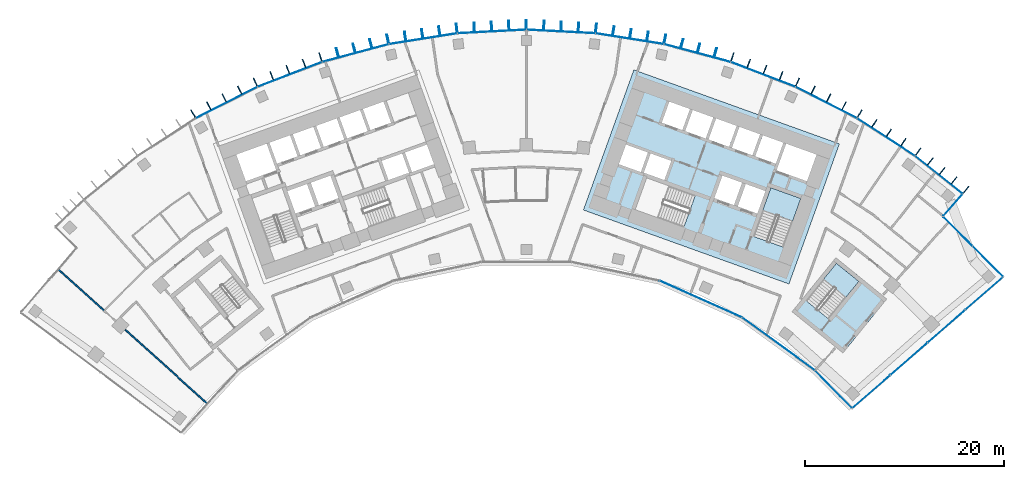
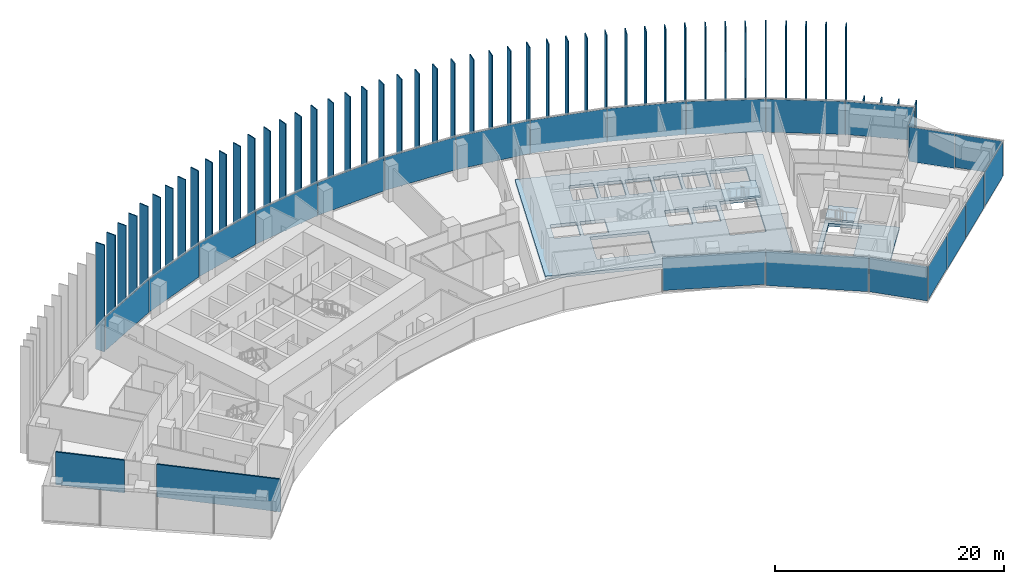
# One storey, part 14 of 23: 71 plates, 4 slabs, 2 walls, 7 elements without a shape of their own.
"""IFC4 building model written with IfcOpenShell, lengths in metres."""

from ifc_helpers import new_model, si_unit, direction, frame, frame_2d, origin, origin_2d, place, context, subcontext, project, spatial, polyline, rectangle, outline, extrude, material, layer, layer_set, type_object, element, aggregate, save


model = new_model("IFC4")

# Units and contexts
model_context = context("Model", 3, precision=1e-05, world=origin(), true_north=direction((0.0, 1.0)))
body_context = subcontext(model_context, "Body", "Model", "MODEL_VIEW")
ifc_project = project(units=[si_unit("LENGTHUNIT", "METRE"), si_unit("AREAUNIT", "SQUARE_METRE"), si_unit("VOLUMEUNIT", "CUBIC_METRE"), si_unit("PLANEANGLEUNIT", "RADIAN"), si_unit("MASSUNIT", "GRAM", prefix="KILO")], contexts=[model_context])

# Site, building, storey
site_placement = place(None, origin())
site = spatial("IfcSite", under=ifc_project, at=site_placement, CompositionType="ELEMENT")
building_placement = place(site_placement, origin())
building = spatial("IfcBuilding", under=site, at=building_placement, Name="Stone Belt Terrace Tower", CompositionType="ELEMENT")
storey_placement = place(building_placement, frame((0.0, 0.0, 178.199951171875)))
storey = spatial("IfcBuildingStorey", under=building, at=storey_placement, Name="L43", CompositionType="ELEMENT", Elevation=178.199951171875)

# Curtain wall, plates
ifc_material_1 = material(Name="Aluminium 6063-T6 anodised frame", Category="aluminium")
ifc_layer_1 = layer(ifc_material_1, 0.14990234375)
ifc_layer_set_1 = layer_set([ifc_layer_1], Name="CW-A unitised convex-face curtain wall")
curtain_wall_type_1 = type_object("IfcCurtainWallType", Name="CW-A unitised convex-face curtain wall", PredefinedType="NOTDEFINED", material=ifc_layer_set_1)
curtain_wall_1_placement = place(storey_placement, origin())
curtain_wall_1 = element("IfcCurtainWall", 1, at=curtain_wall_1_placement, inside=storey, type_object=curtain_wall_type_1, Name="CW-A convex face L43", PredefinedType="NOTDEFINED")
ifc_material_2 = material(Name="Clear double glazed unit")
ifc_layer_2 = layer(ifc_material_2, 0.031982421875)
ifc_layer_set_2 = layer_set([ifc_layer_2], Name="CW-A glass panel 32")
plate_type_1 = type_object("IfcPlateType", Name="CW-A glass panel 32", PredefinedType="CURTAIN_PANEL", material=ifc_layer_set_2)
plate_1_placement = place(storey_placement, frame((41.508544921875, 51.962890625, 0.14013671875), z_axis=(0.0, 0.0, 1.0), x_axis=(-0.7814794641, 0.62393096348, 0.0)))
plate_1 = element("IfcPlate", 2, at=plate_1_placement, type_object=plate_type_1, Name="CW-A panel 1.1", PredefinedType="CURTAIN_PANEL", context=body_context, shape_type="SweptSolid", body=[
    extrude(rectangle(XDim=6.015625, YDim=0.031982421875, at=origin_2d()), origin(), (0.0, 0.0, 1.0), 3.52001953125),
])
plate_2_placement = place(storey_placement, frame((36.209716796875, 55.758056640625, 0.14013671875), z_axis=(0.0, 0.0, 1.0), x_axis=(-0.838670567945, 0.544639035015, 0.0)))
plate_2 = element("IfcPlate", 3, at=plate_2_placement, type_object=plate_type_1, Name="CW-A panel 2.1", PredefinedType="CURTAIN_PANEL", context=body_context, shape_type="SweptSolid", body=[
    extrude(rectangle(XDim=6.90087890625, YDim=0.031982421875, at=origin_2d()), origin(), (0.0, 0.0, 1.0), 3.52001953125),
])
plate_3_placement = place(storey_placement, frame((30.18310546875, 59.237548828125, 0.14013671875), z_axis=(0.0, 0.0, 1.0), x_axis=(-0.891006524188, 0.45399049974, 0.0)))
plate_3 = element("IfcPlate", 4, at=plate_3_placement, type_object=plate_type_1, Name="CW-A panel 3.1", PredefinedType="CURTAIN_PANEL", context=body_context, shape_type="SweptSolid", body=[
    extrude(rectangle(XDim=6.90087890625, YDim=0.031982421875, at=origin_2d()), origin(), (0.0, 0.0, 1.0), 3.52001953125),
])
plate_4_placement = place(storey_placement, frame((23.82568359375, 62.068115234375, 0.14013671875), z_axis=(0.0, 0.0, 1.0), x_axis=(-0.933580426497, 0.358367949545, 0.0)))
plate_4 = element("IfcPlate", 5, at=plate_4_placement, type_object=plate_type_1, Name="CW-A panel 4.1", PredefinedType="CURTAIN_PANEL", context=body_context, shape_type="SweptSolid", body=[
    extrude(rectangle(XDim=6.90087890625, YDim=0.031982421875, at=origin_2d()), origin(), (0.0, 0.0, 1.0), 3.52001953125),
])
plate_5_placement = place(storey_placement, frame((17.207275390625, 64.218505859375, 0.14013671875), z_axis=(0.0, 0.0, 1.0), x_axis=(-0.965925826289, 0.258819045103, 0.0)))
plate_5 = element("IfcPlate", 6, at=plate_5_placement, type_object=plate_type_1, Name="CW-A panel 5.1", PredefinedType="CURTAIN_PANEL", context=body_context, shape_type="SweptSolid", body=[
    extrude(rectangle(XDim=6.90087890625, YDim=0.031982421875, at=origin_2d()), origin(), (0.0, 0.0, 1.0), 3.52001953125),
])
plate_6_placement = place(storey_placement, frame((10.400390625, 65.665283203125, 0.14013671875), z_axis=(0.0, 0.0, 1.0), x_axis=(-0.987688340595, 0.15643446504, 0.0)))
plate_6 = element("IfcPlate", 7, at=plate_6_placement, type_object=plate_type_1, Name="CW-A panel 6.1", PredefinedType="CURTAIN_PANEL", context=body_context, shape_type="SweptSolid", body=[
    extrude(rectangle(XDim=6.90087890625, YDim=0.031982421875, at=origin_2d()), origin(), (0.0, 0.0, 1.0), 3.52001953125),
])
plate_7_placement = place(storey_placement, frame((3.4794921875, 66.392822265625, 0.14013671875), z_axis=(0.0, 0.0, 1.0), x_axis=(-0.998629534755, 0.052335956243, 0.0)))
plate_7 = element("IfcPlate", 8, at=plate_7_placement, type_object=plate_type_1, Name="CW-A panel 7.1", PredefinedType="CURTAIN_PANEL", context=body_context, shape_type="SweptSolid", body=[
    extrude(rectangle(XDim=6.90087890625, YDim=0.031982421875, at=origin_2d()), origin(), (0.0, 0.0, 1.0), 3.52001953125),
])
plate_8_placement = place(storey_placement, frame((-3.4794921875, 66.392822265625, 0.14013671875), z_axis=(0.0, 0.0, 1.0), x_axis=(-0.998629534755, -0.052335956243, 0.0)))
plate_8 = element("IfcPlate", 9, at=plate_8_placement, type_object=plate_type_1, Name="CW-A panel 8.1", PredefinedType="CURTAIN_PANEL", context=body_context, shape_type="SweptSolid", body=[
    extrude(rectangle(XDim=6.90087890625, YDim=0.031982421875, at=origin_2d()), origin(), (0.0, 0.0, 1.0), 3.52001953125),
])
plate_9_placement = place(storey_placement, frame((-10.400390625, 65.665283203125, 0.14013671875), z_axis=(0.0, 0.0, 1.0), x_axis=(-0.987688340595, -0.15643446504, 0.0)))
plate_9 = element("IfcPlate", 10, at=plate_9_placement, type_object=plate_type_1, Name="CW-A panel 9.1", PredefinedType="CURTAIN_PANEL", context=body_context, shape_type="SweptSolid", body=[
    extrude(rectangle(XDim=6.90087890625, YDim=0.031982421875, at=origin_2d()), origin(), (0.0, 0.0, 1.0), 3.52001953125),
])
plate_10_placement = place(storey_placement, frame((-17.207275390625, 64.218505859375, 0.14013671875), z_axis=(0.0, 0.0, 1.0), x_axis=(-0.965925826289, -0.258819045103, 0.0)))
plate_10 = element("IfcPlate", 11, at=plate_10_placement, type_object=plate_type_1, Name="CW-A panel 10.1", PredefinedType="CURTAIN_PANEL", context=body_context, shape_type="SweptSolid", body=[
    extrude(rectangle(XDim=6.90087890625, YDim=0.031982421875, at=origin_2d()), origin(), (0.0, 0.0, 1.0), 3.52001953125),
])
plate_11_placement = place(storey_placement, frame((-23.82568359375, 62.068115234375, 0.14013671875), z_axis=(0.0, 0.0, 1.0), x_axis=(-0.933580426497, -0.358367949545, 0.0)))
plate_11 = element("IfcPlate", 12, at=plate_11_placement, type_object=plate_type_1, Name="CW-A panel 11.1", PredefinedType="CURTAIN_PANEL", context=body_context, shape_type="SweptSolid", body=[
    extrude(rectangle(XDim=6.90087890625, YDim=0.031982421875, at=origin_2d()), origin(), (0.0, 0.0, 1.0), 3.52001953125),
])
plate_12_placement = place(storey_placement, frame((-30.18310546875, 59.237548828125, 0.14013671875), z_axis=(0.0, 0.0, 1.0), x_axis=(-0.891006524188, -0.45399049974, 0.0)))
plate_12 = element("IfcPlate", 13, at=plate_12_placement, type_object=plate_type_1, Name="CW-A panel 12.1", PredefinedType="CURTAIN_PANEL", context=body_context, shape_type="SweptSolid", body=[
    extrude(rectangle(XDim=6.90087890625, YDim=0.031982421875, at=origin_2d()), origin(), (0.0, 0.0, 1.0), 3.52001953125),
])
aggregate(curtain_wall_1, [plate_1, plate_2, plate_3, plate_4, plate_5, plate_6, plate_7, plate_8, plate_9, plate_10, plate_11, plate_12])

ifc_layer_3 = layer(ifc_material_1, 0.14990234375)
ifc_layer_set_3 = layer_set([ifc_layer_3], Name="CW-B unitised concave-face curtain wall")
curtain_wall_type_2 = type_object("IfcCurtainWallType", Name="CW-B unitised concave-face curtain wall", PredefinedType="NOTDEFINED", material=ifc_layer_set_3)
curtain_wall_2_placement = place(storey_placement, origin())
curtain_wall_2 = element("IfcCurtainWall", 14, at=curtain_wall_2_placement, inside=storey, type_object=curtain_wall_type_2, Name="CW-B concave face L43", PredefinedType="NOTDEFINED")
ifc_layer_4 = layer(ifc_material_2, 0.030029296875)
ifc_layer_set_4 = layer_set([ifc_layer_4], Name="CW-B glass panel 30")
plate_type_2 = type_object("IfcPlateType", Name="CW-B glass panel 30", PredefinedType="CURTAIN_PANEL", material=ifc_layer_set_4)
plate_13_placement = place(storey_placement, frame((17.565673828125, 39.453125, 0.1201171875), z_axis=(0.0, 0.0, 1.0), x_axis=(0.913545457643, -0.406736643076, 0.0)))
plate_13 = element("IfcPlate", 15, at=plate_13_placement, type_object=plate_type_2, Name="CW-B panel 7.1", PredefinedType="CURTAIN_PANEL", context=body_context, shape_type="SweptSolid", body=[
    extrude(rectangle(XDim=9.0126953125, YDim=0.030029296875, at=origin_2d()), origin(), (0.0, 0.0, 1.0), 3.56005859375),
])
plate_14_placement = place(storey_placement, frame((25.3857421875, 34.937744140625, 0.0), z_axis=(0.0, 0.0, 1.0), x_axis=(0.809016994375, -0.587785252292, 0.0)))
plate_14 = element("IfcPlate", 16, at=plate_14_placement, type_object=plate_type_2, Name="CW-B panel 8.1", PredefinedType="CURTAIN_PANEL", context=body_context, shape_type="SweptSolid", body=[
    extrude(rectangle(XDim=9.01611328125, YDim=0.030029296875, at=origin_2d()), origin(), (0.0, 0.0, 1.0), 3.679931640625),
])
plate_15_placement = place(storey_placement, frame((30.9189453125, 30.37744140625, 0.0), z_axis=(0.0, 0.0, 1.0), x_axis=(0.701146694669, -0.713017049274, 0.0)))
plate_15 = element("IfcPlate", 17, at=plate_15_placement, type_object=plate_type_2, Name="CW-B panel 9.1", PredefinedType="CURTAIN_PANEL", context=body_context, shape_type="SweptSolid", body=[
    extrude(rectangle(XDim=5.245849609375, YDim=0.030029296875, at=origin_2d()), origin(), (0.0, 0.0, 1.0), 3.679931640625),
])
aggregate(curtain_wall_2, [plate_13, plate_14, plate_15])

ifc_layer_5 = layer(ifc_material_1, 0.14990234375)
ifc_layer_set_5 = layer_set([ifc_layer_5], Name="CW-C stick curtain wall, horn ends and notches")
curtain_wall_type_3 = type_object("IfcCurtainWallType", Name="CW-C stick curtain wall, horn ends and notches", PredefinedType="NOTDEFINED", material=ifc_layer_set_5)
curtain_wall_3_placement = place(storey_placement, origin())
curtain_wall_3 = element("IfcCurtainWall", 18, at=curtain_wall_3_placement, inside=storey, type_object=curtain_wall_type_3, Name="CW-C end face L43", PredefinedType="NOTDEFINED")
ifc_layer_6 = layer(ifc_material_2, 0.028076171875)
ifc_layer_set_6 = layer_set([ifc_layer_6], Name="CW-C glass panel 28")
plate_type_3 = type_object("IfcPlateType", Name="CW-C glass panel 28", PredefinedType="CURTAIN_PANEL", material=ifc_layer_set_6)
plate_16_placement = place(storey_placement, frame((34.7353515625, 30.13623046875, 0.1201171875), z_axis=(0.0, 0.0, 1.0), x_axis=(0.754272557058, 0.65656142871, 0.0)))
plate_16 = element("IfcPlate", 19, at=plate_16_placement, type_object=plate_type_3, Name="CW-C panel 1.1", PredefinedType="CURTAIN_PANEL", context=body_context, shape_type="SweptSolid", body=[
    extrude(rectangle(XDim=4.96728515625, YDim=0.028076171875, at=origin_2d()), origin(), (0.0, 0.0, 1.0), 3.56005859375),
])
plate_17_placement = place(storey_placement, frame((38.51708984375, 33.427978515625, 0.0), z_axis=(0.0, 0.0, 1.0), x_axis=(0.754272557058, 0.65656142871, 0.0)))
plate_17 = element("IfcPlate", 20, at=plate_17_placement, type_object=plate_type_3, Name="CW-C panel 2.1", PredefinedType="CURTAIN_PANEL", context=body_context, shape_type="SweptSolid", body=[
    extrude(rectangle(XDim=4.93994140625, YDim=0.028076171875, at=origin_2d()), origin(), (0.0, 0.0, 1.0), 3.679931640625),
])
plate_18_placement = place(storey_placement, frame((42.28857421875, 36.7109375, 0.0), z_axis=(0.0, 0.0, 1.0), x_axis=(0.754272557058, 0.65656142871, 0.0)))
plate_18 = element("IfcPlate", 21, at=plate_18_placement, type_object=plate_type_3, Name="CW-C panel 3.1", PredefinedType="CURTAIN_PANEL", context=body_context, shape_type="SweptSolid", body=[
    extrude(rectangle(XDim=4.93994140625, YDim=0.028076171875, at=origin_2d()), origin(), (0.0, 0.0, 1.0), 3.679931640625),
])
plate_19_placement = place(storey_placement, frame((46.072998046875, 40.005126953125, 0.0), z_axis=(0.0, 0.0, 1.0), x_axis=(0.754272557058, 0.65656142871, 0.0)))
plate_19 = element("IfcPlate", 22, at=plate_19_placement, type_object=plate_type_3, Name="CW-C panel 4.1", PredefinedType="CURTAIN_PANEL", context=body_context, shape_type="SweptSolid", body=[
    extrude(rectangle(XDim=4.974853515625, YDim=0.028076171875, at=origin_2d()), origin(), (0.0, 0.0, 1.0), 3.679931640625),
])
aggregate(curtain_wall_3, [plate_16, plate_17, plate_18, plate_19])

curtain_wall_4_placement = place(storey_placement, origin())
curtain_wall_4 = element("IfcCurtainWall", 23, at=curtain_wall_4_placement, inside=storey, type_object=curtain_wall_type_3, Name="CW-C notch face L43", PredefinedType="NOTDEFINED")
plate_20_placement = place(storey_placement, frame((46.446044921875, 43.25244140625, 0.1201171875), z_axis=(0.0, 0.0, 1.0), x_axis=(-0.706060821703, 0.70815119576, 0.0)))
plate_20 = element("IfcPlate", 24, at=plate_20_placement, type_object=plate_type_3, Name="CW-C panel 1.1", PredefinedType="CURTAIN_PANEL", context=body_context, shape_type="SweptSolid", body=[
    extrude(rectangle(XDim=4.268798828125, YDim=0.028076171875, at=origin_2d()), origin(), (0.0, 0.0, 1.0), 3.56005859375),
])
plate_21_placement = place(storey_placement, frame((43.44189453125, 46.265380859375, 0.0), z_axis=(0.0, 0.0, 1.0), x_axis=(-0.706060821703, 0.70815119576, 0.0)))
plate_21 = element("IfcPlate", 25, at=plate_21_placement, type_object=plate_type_3, Name="CW-C panel 2.1", PredefinedType="CURTAIN_PANEL", context=body_context, shape_type="SweptSolid", body=[
    extrude(rectangle(XDim=4.12060546875, YDim=0.028076171875, at=origin_2d()), origin(), (0.0, 0.0, 1.0), 3.679931640625),
])
aggregate(curtain_wall_4, [plate_20, plate_21])

# Curtain wall, plate
curtain_wall_5_placement = place(storey_placement, origin())
curtain_wall_5 = element("IfcCurtainWall", 26, at=curtain_wall_5_placement, inside=storey, type_object=curtain_wall_type_3, Name="CW-C notch face L43", PredefinedType="NOTDEFINED")
plate_22_placement = place(storey_placement, frame((42.926025390625, 48.9072265625, 0.1201171875), z_axis=(0.0, 0.0, 1.0), x_axis=(0.658788364525, 0.75232831315, 0.0)))
plate_22 = element("IfcPlate", 27, at=plate_22_placement, type_object=plate_type_3, Name="CW-C panel 1.1", PredefinedType="CURTAIN_PANEL", context=body_context, shape_type="SweptSolid", body=[
    extrude(rectangle(XDim=2.8603515625, YDim=0.028076171875, at=origin_2d()), origin(), (0.0, 0.0, 1.0), 3.56005859375),
])
aggregate(curtain_wall_5, [plate_22])

# Slabs
ifc_material_3 = material(Name="Concrete B40", Category="concrete")
ifc_layer_7 = layer(ifc_material_3, 0.320068359375)
ifc_layer_set_7 = layer_set([ifc_layer_7], Name="Core floor slab 320")
slab_type_1 = type_object("IfcSlabType", Name="Core floor slab 320", PredefinedType="FLOOR", material=ifc_layer_set_7)
slab_1_placement = place(storey_placement, frame((0.0, 0.0, -0.320068359375)))
element("IfcSlab", 28, at=slab_1_placement, inside=storey, type_object=slab_type_1, Name="Core B floor L43", PredefinedType="FLOOR", context=body_context, shape_type="SweptSolid", body=[
    extrude(outline(polyline([(26.43505859375, 40.968994140625), (31.513916015625, 55.0830078125), (10.81396484375, 62.531982421875), (5.735107421875, 48.4189453125), (26.43505859375, 40.968994140625)]), holes=[polyline([(12.10595703125, 51.652099609375), (16.998046875, 49.89208984375), (15.846923828125, 46.69189453125), (10.955078125, 48.452880859375), (12.10595703125, 51.652099609375)]), polyline([(12.511962890625, 54.110107421875), (14.58203125, 53.364990234375), (13.887939453125, 51.43603515625), (11.864990234375, 52.1640625), (11.847900390625, 52.116943359375), (11.801025390625, 52.134033203125), (12.511962890625, 54.110107421875)]), polyline([(9.30810546875, 53.031005859375), (10.01904296875, 55.007080078125), (12.22998046875, 54.2109375), (11.51904296875, 52.235107421875), (9.30810546875, 53.031005859375)]), polyline([(18.333984375, 55.52197265625), (19.095947265625, 57.638916015625), (21.166015625, 56.89404296875), (20.404052734375, 54.777099609375), (18.333984375, 55.52197265625)]), polyline([(16.743896484375, 58.485107421875), (18.81396484375, 57.739990234375), (18.052001953125, 55.623046875), (15.98193359375, 56.367919921875), (16.743896484375, 58.485107421875)]), polyline([(14.39111328125, 59.33203125), (16.4609375, 58.5869140625), (15.699951171875, 56.469970703125), (13.6298828125, 57.215087890625), (14.39111328125, 59.33203125)]), polyline([(27.618896484375, 49.575927734375), (25.85888671875, 44.68408203125), (22.847900390625, 45.76806640625), (24.60791015625, 50.659912109375), (27.618896484375, 49.575927734375)]), polyline([(23.25, 48.06689453125), (21.27392578125, 48.778076171875), (22.0869140625, 51.035888671875), (24.06298828125, 50.324951171875), (23.25, 48.06689453125)]), polyline([(20.89794921875, 48.9130859375), (18.922119140625, 49.6240234375), (19.735107421875, 51.883056640625), (21.7109375, 51.1708984375), (20.89794921875, 48.9130859375)]), polyline([(26.153076171875, 55.09912109375), (29.2109375, 53.9990234375), (28.24609375, 51.31689453125), (25.18798828125, 52.41796875), (26.153076171875, 55.09912109375)]), polyline([(23.801025390625, 55.946044921875), (25.87109375, 55.200927734375), (25.10888671875, 53.083984375), (23.0390625, 53.8291015625), (23.801025390625, 55.946044921875)]), polyline([(21.447998046875, 56.7919921875), (23.51806640625, 56.047119140625), (22.756103515625, 53.929931640625), (20.68603515625, 54.675048828125), (21.447998046875, 56.7919921875)])]), origin(), (0.0, 0.0, 1.0), 0.320068359375),
])
slab_2_placement = place(storey_placement, frame((0.0, 0.0, -0.320068359375)))
element("IfcSlab", 29, at=slab_2_placement, inside=storey, type_object=slab_type_1, Name="Exit stair ST3B floor L43", PredefinedType="FLOOR", context=body_context, shape_type="SweptSolid", body=[
    extrude(outline(polyline([(26.741943359375, 38.18408203125), (31.866943359375, 34.02392578125), (36.278076171875, 39.458984375), (31.154052734375, 43.618896484375), (26.741943359375, 38.18408203125)]), holes=[polyline([(30.407958984375, 37.462890625), (28.156005859375, 39.291015625), (31.2119140625, 43.055908203125), (33.464111328125, 41.22802734375), (30.407958984375, 37.462890625)])]), origin(), (0.0, 0.0, 1.0), 0.320068359375),
])

# Stair, slab
stair_type = type_object("IfcStairType", Name="Exit stair 1500", PredefinedType="HALF_TURN_STAIR", material=ifc_material_3)
stair_1_placement = place(storey_placement, origin())
stair_1 = element("IfcStair", 30, at=stair_1_placement, inside=storey, type_object=stair_type, Name="L43 Exit stair 1 core B", PredefinedType="HALF_TURN_STAIR")
ifc_layer_8 = layer(ifc_material_3, 0.199951171875)
ifc_layer_set_8 = layer_set([ifc_layer_8], Name="Stair landing 200")
slab_type_2 = type_object("IfcSlabType", Name="Stair landing 200", PredefinedType="LANDING", material=ifc_layer_set_8)
slab_3_placement = place(storey_placement, frame((0.0, 0.0, 1.699951171875)))
slab_3 = element("IfcSlab", 31, at=slab_3_placement, type_object=slab_type_2, Name="ST1B landing 1", PredefinedType="LANDING", context=body_context, shape_type="SweptSolid", body=[
    extrude(outline(polyline([(26.806396484375, 47.3173828125), (27.619384765625, 49.576171875), (24.6083984375, 50.659912109375), (23.79541015625, 48.40087890625), (26.806396484375, 47.3173828125)])), origin(), (0.0, 0.0, 1.0), 0.2001953125),
])
aggregate(stair_1, [slab_3])

stair_2_placement = place(storey_placement, origin())
stair_2 = element("IfcStair", 32, at=stair_2_placement, inside=storey, type_object=stair_type, Name="L43 Exit stair 3B", PredefinedType="HALF_TURN_STAIR")
slab_4_placement = place(storey_placement, frame((0.0, 0.0, 1.699951171875)))
slab_4 = element("IfcSlab", 33, at=slab_4_placement, type_object=slab_type_2, Name="ST3B landing 1", PredefinedType="LANDING", context=body_context, shape_type="SweptSolid", body=[
    extrude(outline(polyline([(32.17138671875, 39.635986328125), (33.4638671875, 41.228271484375), (31.21240234375, 43.055908203125), (29.919921875, 41.463623046875), (32.17138671875, 39.635986328125)])), origin(), (0.0, 0.0, 1.0), 0.2001953125),
])
aggregate(stair_2, [slab_4])

# Plates
ifc_material_4 = material(Name="Terracotta coloured glazed ceramic", Category="masonry")
ifc_layer_9 = layer(ifc_material_4, 0.10009765625)
ifc_layer_set_9 = layer_set([ifc_layer_9], Name="Terracotta fin 100 x 900")
plate_type_4 = type_object("IfcPlateType", Name="Terracotta fin 100 x 900", PredefinedType="SHEET", material=ifc_layer_set_9)
for number, where, z_axis, x_axis, name in (
    (34, (44.2451171875, 50.44970703125, 0.0), (0.0, 0.0, 1.0), (0.62393096348, 0.7814794641, 0.0), "FIN L43 1.1"),
    (35, (43.048583984375, 51.405029296875, 0.0), (0.0, 0.0, 1.0), (0.62393096348, 0.7814794641, 0.0), "FIN L43 1.2"),
    (36, (41.85205078125, 52.3603515625, 0.0), (0.0, 0.0, 1.0), (0.62393096348, 0.7814794641, 0.0), "FIN L43 1.3"),
    (37, (40.65576171875, 53.3154296875, 0.0), (0.0, 0.0, 1.0), (0.62393096348, 0.7814794641, 0.0), "FIN L43 1.4"),
):
    element("IfcPlate", number, at=place(storey_placement, frame(where, z_axis=z_axis, x_axis=x_axis)), inside=storey, type_object=plate_type_4, Name=name, PredefinedType="SHEET", context=body_context, shape_type="SweptSolid", body=[
        extrude(rectangle(XDim=0.89990234375, YDim=0.10009765625, at=origin_2d()), origin(), (0.0, 0.0, 1.0), 3.800048828125),
    ])
for number, where, z_axis, x_axis, name in (
    (38, (39.438720703125, 54.286376953125, 0.0), (0.0, 0.0, 1.0), (0.58498432965, 0.811044594375, 0.0), "FIN L43 2.1"),
    (39, (37.95654296875, 55.24951171875, 0.0), (0.0, 0.0, 1.0), (0.544639035015, 0.838670567945, 0.0), "FIN L43 2.2"),
    (40, (36.49560546875, 56.198486328125, 0.0), (0.0, 0.0, 1.0), (0.544639035015, 0.838670567945, 0.0), "FIN L43 2.3"),
    (41, (35.034423828125, 57.147216796875, 0.0), (0.0, 0.0, 1.0), (0.544639035015, 0.838670567945, 0.0), "FIN L43 2.4"),
    (42, (33.550048828125, 58.1103515625, 0.0), (0.0, 0.0, 1.0), (0.5, 0.866025403784, 0.0), "FIN L43 3.1"),
    (43, (31.9736328125, 58.914306640625, 0.0), (0.0, 0.0, 1.0), (0.45399049974, 0.891006524188, 0.0), "FIN L43 3.2"),
    (44, (30.42138671875, 59.705322265625, 0.0), (0.0, 0.0, 1.0), (0.45399049974, 0.891006524188, 0.0), "FIN L43 3.3"),
    (45, (28.869140625, 60.496337890625, 0.0), (0.0, 0.0, 1.0), (0.45399049974, 0.891006524188, 0.0), "FIN L43 3.4"),
    (46, (27.2919921875, 61.299072265625, 0.0), (0.0, 0.0, 1.0), (0.406736643076, 0.913545457643, 0.0), "FIN L43 4.1"),
    (47, (25.64013671875, 61.933837890625, 0.0), (0.0, 0.0, 1.0), (0.358367949545, 0.933580426497, 0.0), "FIN L43 4.2"),
    (48, (24.013916015625, 62.55810546875, 0.0), (0.0, 0.0, 1.0), (0.358367949545, 0.933580426497, 0.0), "FIN L43 4.3"),
    (49, (22.387451171875, 63.182373046875, 0.0), (0.0, 0.0, 1.0), (0.358367949545, 0.933580426497, 0.0), "FIN L43 4.4"),
    (50, (20.735107421875, 63.81591796875, 0.0), (0.0, 0.0, 1.0), (0.309016994375, 0.951056516295, 0.0), "FIN L43 5.1"),
    (51, (19.02587890625, 64.274658203125, 0.0), (0.0, 0.0, 1.0), (0.258819045103, 0.965925826289, 0.0), "FIN L43 5.2"),
    (52, (17.34326171875, 64.7255859375, 0.0), (0.0, 0.0, 1.0), (0.258819045103, 0.965925826289, 0.0), "FIN L43 5.3"),
    (53, (15.660400390625, 65.176513671875, 0.0), (0.0, 0.0, 1.0), (0.258819045103, 0.965925826289, 0.0), "FIN L43 5.4"),
    (54, (13.950927734375, 65.6337890625, 0.0), (0.0, 0.0, 1.0), (0.207911690818, 0.978147600734, 0.0), "FIN L43 6.1"),
    (55, (12.203125, 65.911376953125, 0.0), (0.0, 0.0, 1.0), (0.15643446504, 0.987688340595, 0.0), "FIN L43 6.2"),
    (56, (10.482421875, 66.183837890625, 0.0), (0.0, 0.0, 1.0), (0.15643446504, 0.987688340595, 0.0), "FIN L43 6.3"),
    (57, (8.76171875, 66.456298828125, 0.0), (0.0, 0.0, 1.0), (0.15643446504, 0.987688340595, 0.0), "FIN L43 6.4"),
    (58, (7.013916015625, 66.732421875, 0.0), (0.0, 0.0, 1.0), (0.104528463268, 0.994521895368, 0.0), "FIN L43 7.1"),
    (59, (5.246826171875, 66.825927734375, 0.0), (0.0, 0.0, 1.0), (0.052335956243, 0.998629534755, 0.0), "FIN L43 7.2"),
    (60, (3.507080078125, 66.9169921875, 0.0), (0.0, 0.0, 1.0), (0.052335956243, 0.998629534755, 0.0), "FIN L43 7.3"),
    (61, (1.767333984375, 67.00830078125, 0.0), (0.0, 0.0, 1.0), (0.052335956243, 0.998629534755, 0.0), "FIN L43 7.4"),
    (62, (0.0, 67.10009765625, 0.0), (0.0, 0.0, 1.0), (0.0, 1.0, 0.0), "FIN L43 8.1"),
    (63, (-1.767333984375, 67.00830078125, 0.0), (0.0, 0.0, 1.0), (-0.052335956243, 0.998629534755, 0.0), "FIN L43 8.2"),
    (64, (-3.507080078125, 66.9169921875, 0.0), (0.0, 0.0, 1.0), (-0.052335956243, 0.998629534755, 0.0), "FIN L43 8.3"),
    (65, (-5.246826171875, 66.825927734375, 0.0), (0.0, 0.0, 1.0), (-0.052335956243, 0.998629534755, 0.0), "FIN L43 8.4"),
    (66, (-7.013916015625, 66.732421875, 0.0), (0.0, 0.0, 1.0), (-0.104528463268, 0.994521895368, 0.0), "FIN L43 9.1"),
    (67, (-8.76171875, 66.456298828125, 0.0), (0.0, 0.0, 1.0), (-0.15643446504, 0.987688340595, 0.0), "FIN L43 9.2"),
    (68, (-10.482421875, 66.183837890625, 0.0), (0.0, 0.0, 1.0), (-0.15643446504, 0.987688340595, 0.0), "FIN L43 9.3"),
    (69, (-12.203125, 65.911376953125, 0.0), (0.0, 0.0, 1.0), (-0.15643446504, 0.987688340595, 0.0), "FIN L43 9.4"),
    (70, (-13.950927734375, 65.6337890625, 0.0), (0.0, 0.0, 1.0), (-0.207911690818, 0.978147600734, 0.0), "FIN L43 10.1"),
    (71, (-15.660400390625, 65.176513671875, 0.0), (0.0, 0.0, 1.0), (-0.258819045103, 0.965925826289, 0.0), "FIN L43 10.2"),
    (72, (-17.34326171875, 64.7255859375, 0.0), (0.0, 0.0, 1.0), (-0.258819045103, 0.965925826289, 0.0), "FIN L43 10.3"),
    (73, (-19.02587890625, 64.274658203125, 0.0), (0.0, 0.0, 1.0), (-0.258819045103, 0.965925826289, 0.0), "FIN L43 10.4"),
    (74, (-20.735107421875, 63.81591796875, 0.0), (0.0, 0.0, 1.0), (-0.309016994375, 0.951056516295, 0.0), "FIN L43 11.1"),
    (75, (-22.387451171875, 63.182373046875, 0.0), (0.0, 0.0, 1.0), (-0.358367949545, 0.933580426497, 0.0), "FIN L43 11.2"),
    (76, (-24.013916015625, 62.55810546875, 0.0), (0.0, 0.0, 1.0), (-0.358367949545, 0.933580426497, 0.0), "FIN L43 11.3"),
    (77, (-25.64013671875, 61.933837890625, 0.0), (0.0, 0.0, 1.0), (-0.358367949545, 0.933580426497, 0.0), "FIN L43 11.4"),
    (78, (-27.2919921875, 61.299072265625, 0.0), (0.0, 0.0, 1.0), (-0.406736643076, 0.913545457643, 0.0), "FIN L43 12.1"),
    (79, (-28.869140625, 60.496337890625, 0.0), (0.0, 0.0, 1.0), (-0.45399049974, 0.891006524188, 0.0), "FIN L43 12.2"),
    (80, (-30.42138671875, 59.705322265625, 0.0), (0.0, 0.0, 1.0), (-0.45399049974, 0.891006524188, 0.0), "FIN L43 12.3"),
    (81, (-31.9736328125, 58.914306640625, 0.0), (0.0, 0.0, 1.0), (-0.45399049974, 0.891006524188, 0.0), "FIN L43 12.4"),
    (82, (-33.550048828125, 58.1103515625, 0.0), (0.0, 0.0, 1.0), (-0.5, 0.866025403784, 0.0), "FIN L43 13.1"),
):
    element("IfcPlate", number, at=place(storey_placement, frame(where, z_axis=z_axis, x_axis=x_axis)), inside=storey, type_object=plate_type_4, Name=name, PredefinedType="SHEET", context=body_context, shape_type="SweptSolid", body=[
        extrude(rectangle(XDim=0.89990234375, YDim=0.10009765625, at=origin_2d()), origin(), (0.0, 0.0, 1.0), 11.39990234375),
    ])

# Walls
ifc_material_5 = material(Name="Gypsum board partition")
ifc_layer_10 = layer(ifc_material_5, 0.14990234375)
ifc_layer_set_10 = layer_set([ifc_layer_10], Name="PARTITION 150 EI 60")
wall_type = type_object("IfcWallType", Name="PARTITION 150 EI 60", PredefinedType="PARTITIONING", material=ifc_layer_set_10)
wall_1_placement = place(storey_placement, frame((-40.385986328125, 36.3642578125, 0.0), z_axis=(0.0, 0.0, 1.0), x_axis=(0.743128216334, -0.669149052221, 0.0)))
element("IfcWall", 83, at=wall_1_placement, inside=storey, type_object=wall_type, Name="L43/wall/i036", PredefinedType="PARTITIONING", context=body_context, shape_type="SweptSolid", body=[
    extrude(rectangle(XDim=11.048828125, YDim=0.14990234375, at=frame_2d((5.5244140625, 0.0))), origin(), (0.0, 0.0, 1.0), 3.47998046875),
])
wall_2_placement = place(storey_placement, frame((-47.09228515625, 42.40283203125, 0.0), z_axis=(0.0, 0.0, 1.0), x_axis=(0.743096733758, -0.669184013765, 0.0)))
element("IfcWall", 84, at=wall_2_placement, inside=storey, type_object=wall_type, Name="L43/wall/i037", PredefinedType="PARTITIONING", context=body_context, shape_type="SweptSolid", body=[
    extrude(rectangle(XDim=6.150390625, YDim=0.14990234375, at=frame_2d((3.0751953125, 0.0))), origin(), (0.0, 0.0, 1.0), 3.47998046875),
])

save(model, "model.ifc")
